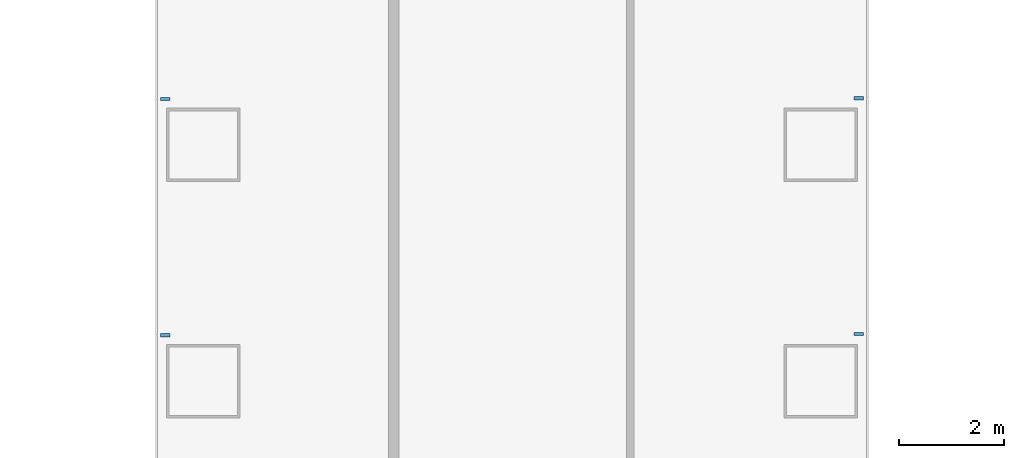
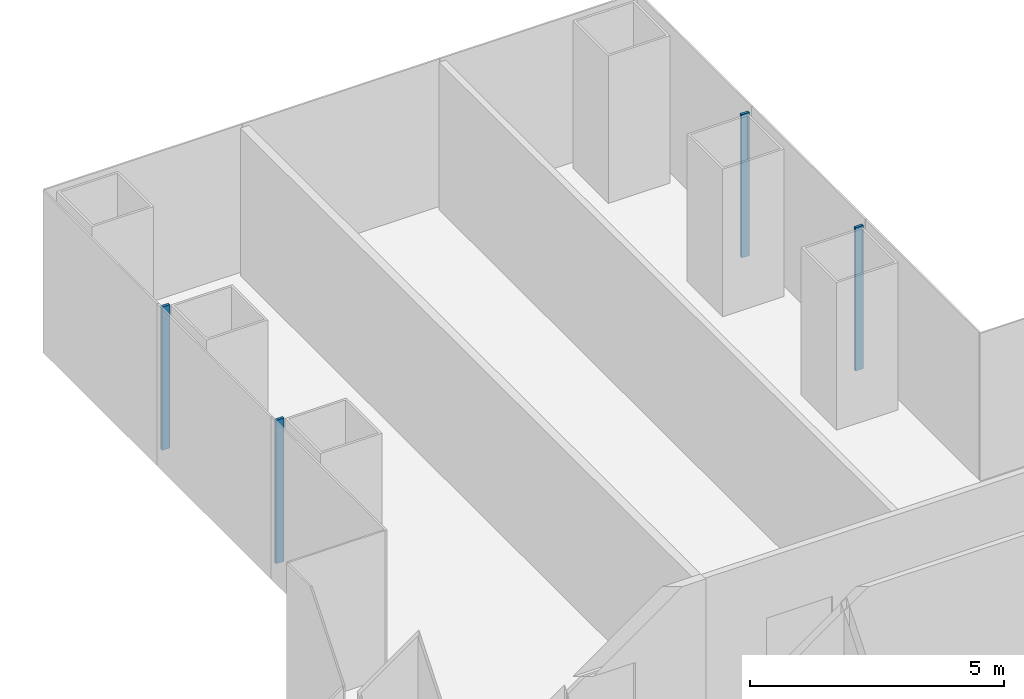
# One storey, part 6 of 21: 4 members, 2 elements without a shape of their own.
"""IFC4 building model written with IfcOpenShell, lengths in metres."""

from ifc_helpers import new_model, si_unit, direction, frame, origin, origin_2d, place, context, subcontext, project, spatial, rectangle, extrude, material, layer, layer_set, material_profile, profile_set, type_object, element, aggregate, save


model = new_model("IFC4")

# Units and contexts
model_context = context("Model", 3, precision=1e-05, world=origin(), true_north=direction((0.0, 1.0)))
body_context = subcontext(model_context, "Body", "Model", "MODEL_VIEW")
ifc_project = project(units=[si_unit("LENGTHUNIT", "METRE"), si_unit("AREAUNIT", "SQUARE_METRE"), si_unit("VOLUMEUNIT", "CUBIC_METRE"), si_unit("PLANEANGLEUNIT", "RADIAN"), si_unit("MASSUNIT", "GRAM", prefix="KILO")], contexts=[model_context])

# Site, building, storey
site_placement = place(None, origin())
site = spatial("IfcSite", under=ifc_project, at=site_placement, CompositionType="ELEMENT")
building_placement = place(site_placement, origin())
building = spatial("IfcBuilding", under=site, at=building_placement, Name="Shamsa Quay Exchange Towers", CompositionType="ELEMENT")
storey_placement = place(building_placement, frame((0.0, 0.0, 53.699951171875)))
storey = spatial("IfcBuildingStorey", under=building, at=storey_placement, Name="L11", CompositionType="ELEMENT", Elevation=53.699951171875)

# Curtain wall, members
ifc_material = material(Name="Aluminium EN AW-6063 T6, black anodised", Category="aluminium")
ifc_layer = layer(ifc_material, 0.280029296875)
ifc_layer_set = layer_set([ifc_layer], Name="CW-1 UNITISED VISION GLASS")
curtain_wall_type = type_object("IfcCurtainWallType", Name="CW-1 UNITISED VISION GLASS", PredefinedType="NOTDEFINED", material=ifc_layer_set)
curtain_wall_1_placement = place(storey_placement, origin())
curtain_wall_1 = element("IfcCurtainWall", 1, at=curtain_wall_1_placement, inside=storey, type_object=curtain_wall_type, Name="CW1 T1-FLK-V+E L11", PredefinedType="NOTDEFINED")
ifc_material_profile = material_profile(ifc_material, rectangle(XDim=0.179931640625, YDim=0.06005859375, at=origin_2d()), Name="MU60x180")
ifc_profile_set = profile_set([ifc_material_profile], Name="Aluminium EN AW-6063 T6, black anodised")
member_type = type_object("IfcMemberType", Name="CW1 MULLION 60x180", PredefinedType="MULLION", material=ifc_profile_set)
member_1_placement = place(storey_placement, frame((-27.14990234375, 15.775390625, 0.0), z_axis=(0.0, 0.0, 1.0), x_axis=(-1.0, 0.0, 0.0)))
member_1 = element("IfcMember", 2, at=member_1_placement, type_object=member_type, Name="CW1 mullion", PredefinedType="MULLION", context=body_context, shape_type="SweptSolid", body=[
    extrude(rectangle(XDim=0.179931640625, YDim=0.06005859375, at=origin_2d()), origin(), (0.0, 0.0, 1.0), 3.449951171875),
])
member_2_placement = place(storey_placement, frame((-27.14990234375, 20.2626953125, 0.0), z_axis=(0.0, 0.0, 1.0), x_axis=(-1.0, 0.0, 0.0)))
member_2 = element("IfcMember", 3, at=member_2_placement, type_object=member_type, Name="CW1 mullion", PredefinedType="MULLION", context=body_context, shape_type="SweptSolid", body=[
    extrude(rectangle(XDim=0.179931640625, YDim=0.06005859375, at=origin_2d()), origin(), (0.0, 0.0, 1.0), 3.449951171875),
])
aggregate(curtain_wall_1, [member_1, member_2])

curtain_wall_2_placement = place(storey_placement, origin())
curtain_wall_2 = element("IfcCurtainWall", 4, at=curtain_wall_2_placement, inside=storey, type_object=curtain_wall_type, Name="CW1 T1-FLK-V+W L11", PredefinedType="NOTDEFINED")
member_3_placement = place(storey_placement, frame((-40.35009765625, 20.25, 0.0)))
member_3 = element("IfcMember", 5, at=member_3_placement, type_object=member_type, Name="CW1 mullion", PredefinedType="MULLION", context=body_context, shape_type="SweptSolid", body=[
    extrude(rectangle(XDim=0.179931640625, YDim=0.06005859375, at=origin_2d()), origin(), (0.0, 0.0, 1.0), 3.449951171875),
])
member_4_placement = place(storey_placement, frame((-40.35009765625, 15.75, 0.0)))
member_4 = element("IfcMember", 6, at=member_4_placement, type_object=member_type, Name="CW1 mullion", PredefinedType="MULLION", context=body_context, shape_type="SweptSolid", body=[
    extrude(rectangle(XDim=0.179931640625, YDim=0.06005859375, at=origin_2d()), origin(), (0.0, 0.0, 1.0), 3.449951171875),
])
aggregate(curtain_wall_2, [member_3, member_4])

save(model, "model.ifc")
